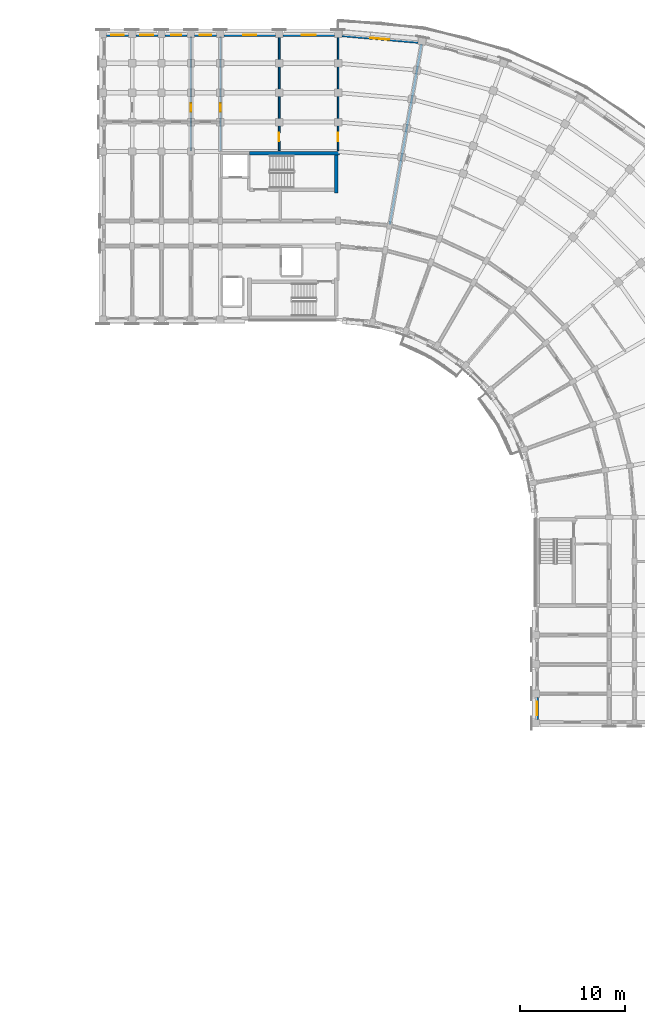
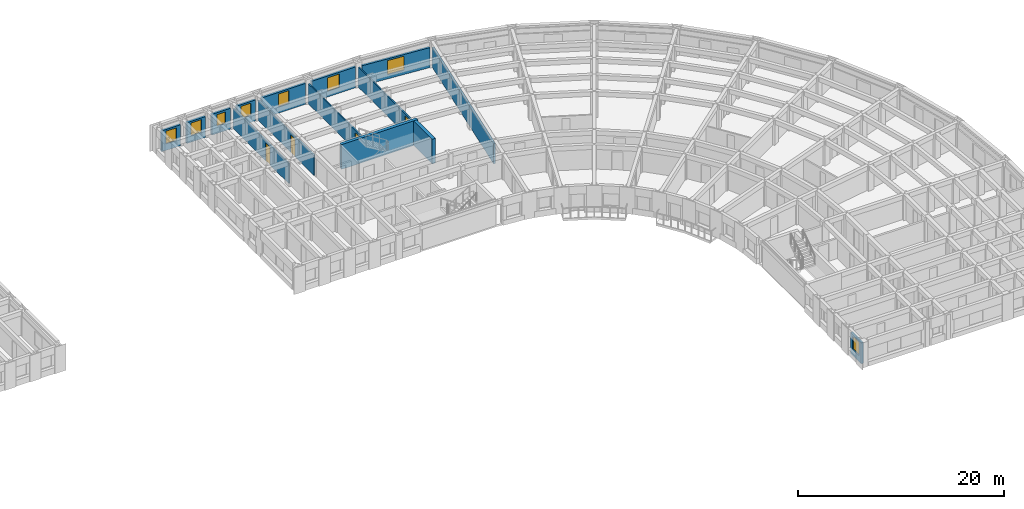
# One storey, part 33 of 57: 15 walls, 8 windows, 4 doors, 12 openings.
"""IFC4 building model written with IfcOpenShell, lengths in metres."""

import ifcopenshell
import ifcopenshell.guid

model = None  # the IFC model being written
_history = None  # IfcOwnerHistory: only IFC2X3 demands one
_inside = {}  # id of a spatial element -> (the spatial element, [elements in it])
_under = {}  # id of a project, library or spatial element -> (it, [spatial elements below it])
_declared = {}  # id of a project -> (the project, [libraries it declares])
_typed = {}  # id of a type object -> (the type object, [elements of that type])
_made_of = {}  # id of a material, layer set ... -> (it, [elements and type objects made of it])


def new_model(schema):
    """Start an empty IFC model of exactly this schema.

    Asked for "IFC4X3", IfcOpenShell would pick the latest addendum, in which some entities
    have other attributes; the version numbers below select the first issue.
    IFC2X3 requires an IfcOwnerHistory on every rooted entity: one is made here for all.
    """
    global model, _history
    if schema == "IFC4X3":
        model = ifcopenshell.file(schema_version=(4, 3, 0, 0))
    else:
        model = ifcopenshell.file(schema=schema)
    _inside.clear()
    _under.clear()
    _declared.clear()
    _typed.clear()
    _made_of.clear()
    _history = None
    if model.schema == "IFC2X3":
        org = make("IfcOrganization", Name="unknown")
        user = make(
            "IfcPersonAndOrganization",
            ThePerson=make("IfcPerson", FamilyName="unknown"),
            TheOrganization=org,
        )
        app = make(
            "IfcApplication",
            ApplicationDeveloper=org,
            Version="unknown",
            ApplicationFullName="unknown",
            ApplicationIdentifier="unknown",
        )
        _history = make(
            "IfcOwnerHistory",
            OwningUser=user,
            OwningApplication=app,
            ChangeAction="ADDED",
            CreationDate=0,
        )
    return model


def make(cls, **values):
    """One entity of the class cls with the attributes given. An attribute that is None is left unset."""
    return model.create_entity(
        cls, **{name: value for name, value in values.items() if value is not None}
    )


def rooted(cls, **values):
    """An entity with a GlobalId (a new one), such as an element, a storey or a relation."""
    return make(cls, GlobalId=ifcopenshell.guid.new(), OwnerHistory=_history, **values)


def si_unit(unit_type, name, prefix=None):
    """IfcSIUnit, for example si_unit("LENGTHUNIT", "METRE", prefix="MILLI")."""
    return make("IfcSIUnit", UnitType=unit_type, Prefix=prefix, Name=name)


def assignment(units):
    """IfcUnitAssignment: the units of a project."""
    return None if units is None else make("IfcUnitAssignment", Units=units)


def point(xyz):
    """IfcCartesianPoint."""
    return None if xyz is None else make("IfcCartesianPoint", Coordinates=xyz)


def direction(xyz):
    """IfcDirection."""
    return None if xyz is None else make("IfcDirection", DirectionRatios=xyz)


def frame(location, z_axis=None, x_axis=None):
    """IfcAxis2Placement3D, a coordinate frame: its origin and axes. An axis left out is left unset."""
    return make(
        "IfcAxis2Placement3D",
        Location=point(location),
        Axis=direction(z_axis),
        RefDirection=direction(x_axis),
    )


def frame_2d(location, x_axis=None):
    """IfcAxis2Placement2D, a coordinate frame in the plane: its origin and x axis."""
    return make(
        "IfcAxis2Placement2D", Location=point(location), RefDirection=direction(x_axis)
    )


def origin():
    """The frame at (0, 0, 0) with its axes left unset."""
    return frame((0.0, 0.0, 0.0))


def place(relative_to, where):
    """IfcLocalPlacement: puts the frame where relative to a parent placement (None: the world)."""
    return make(
        "IfcLocalPlacement", PlacementRelTo=relative_to, RelativePlacement=where
    )


def context(
    kind, dimensions, precision=None, world=None, true_north=None, identifier=None
):
    """IfcGeometricRepresentationContext, for example the 3D "Model" context."""
    return make(
        "IfcGeometricRepresentationContext",
        ContextIdentifier=identifier,
        ContextType=kind,
        CoordinateSpaceDimension=dimensions,
        Precision=precision,
        WorldCoordinateSystem=world,
        TrueNorth=true_north,
    )


def subcontext(parent, identifier, kind, view, scale=None):
    """IfcGeometricRepresentationSubContext, for example "Body" below "Model"."""
    return make(
        "IfcGeometricRepresentationSubContext",
        ContextIdentifier=identifier,
        ContextType=kind,
        ParentContext=parent,
        TargetScale=scale,
        TargetView=view,
    )


def project(units=None, contexts=None):
    """IfcProject with its units and contexts."""
    return rooted(
        "IfcProject",
        Name="project",
        RepresentationContexts=contexts,
        UnitsInContext=assignment(units),
    )


def spatial(cls, under=None, at=None, **own):
    """A site, building, storey or space (cls), placed at a placement, below another one or the project."""
    s = rooted(cls, ObjectPlacement=at, **own)
    if under is not None:
        _under.setdefault(under.id(), (under, []))[1].append(s)
    return s


def profile(cls, at=None, kind="AREA", **sizes):
    """A parametric profile (cls). Its sizes go by their IFC names, for example OverallWidth=200.0."""
    return make(cls, ProfileType=kind, Position=at, **sizes)


def rectangle(**sizes):
    """IfcRectangleProfileDef."""
    return profile("IfcRectangleProfileDef", **sizes)


def extrude(swept, where, along, depth):
    """IfcExtrudedAreaSolid: the profile swept, set in the frame where, extruded along a direction by depth."""
    return make(
        "IfcExtrudedAreaSolid",
        SweptArea=swept,
        Position=where,
        ExtrudedDirection=direction(along),
        Depth=depth,
    )


def shape(context_of_items, identifier, shape_type, items):
    """IfcShapeRepresentation: the items that make up one representation, for example the "Body"."""
    return make(
        "IfcShapeRepresentation",
        ContextOfItems=context_of_items,
        RepresentationIdentifier=identifier,
        RepresentationType=shape_type,
        Items=items,
    )


def material(Name=None, Category=None):
    """IfcMaterial."""
    return make("IfcMaterial", Name=Name, Category=Category)


def layer(
    of_material, thickness, ventilated=None, Name=None, Category=None, Priority=None
):
    """IfcMaterialLayer: one layer of a wall or slab, of a material (None: an air gap)."""
    return make(
        "IfcMaterialLayer",
        Material=of_material,
        LayerThickness=thickness,
        IsVentilated=ventilated,
        Name=Name,
        Category=Category,
        Priority=Priority,
    )


def layer_set(layers, Name=None):
    """IfcMaterialLayerSet."""
    return make("IfcMaterialLayerSet", MaterialLayers=layers, LayerSetName=Name)


def made_of(thing, what):
    """Note that an element or type object is made of a material, layer set ...; save() writes the relation."""
    if what is not None:
        _made_of.setdefault(what.id(), (what, []))[1].append(thing)
    return thing


def type_object(cls, material=None, **own):
    """A type object (cls), such as IfcWallType, which elements share."""
    return made_of(rooted(cls, **own), material)


def element(
    cls,
    number,
    at=None,
    inside=None,
    cuts=None,
    type_object=None,
    material=None,
    context=None,
    identifier="Body",
    shape_type=None,
    held_by="IfcProductDefinitionShape",
    body=None,
    shapes=None,
    **own,
):
    """One element of the class cls, such as IfcWall. Its Tag is "e" and its number.

    at: its placement. inside: the storey or other place that contains it. cuts: it is an
    opening in that element (IfcRelVoidsElement). A single representation is given by context,
    identifier, shape_type and body (its items); several are given by shapes. held_by: the class
    of the entity that holds the representations. save() writes the other relations.
    """
    e = rooted(cls, Tag="e%d" % number, ObjectPlacement=at, **own)
    if body is not None:
        shapes = [shape(context, identifier, shape_type, body)]
    if shapes is not None:
        e.Representation = make(held_by, Representations=shapes)
    if inside is not None:
        _inside.setdefault(inside.id(), (inside, []))[1].append(e)
    if cuts is not None:
        rooted(
            "IfcRelVoidsElement", RelatingBuildingElement=cuts, RelatedOpeningElement=e
        )
    if type_object is not None:
        _typed.setdefault(type_object.id(), (type_object, []))[1].append(e)
    return made_of(e, material)


def fill(opening, filler):
    """IfcRelFillsElement: the door or window that sits in an opening."""
    return rooted(
        "IfcRelFillsElement",
        RelatingOpeningElement=opening,
        RelatedBuildingElement=filler,
    )


def aggregate(whole, parts):
    """IfcRelAggregates: a whole, such as a stair, and the parts it consists of."""
    return rooted("IfcRelAggregates", RelatingObject=whole, RelatedObjects=parts)


def save(model, path):
    """Write the relations noted so far, then the file.

    IfcRelAggregates (storeys below a building ...), IfcRelContainedInSpatialStructure (elements
    in a storey), IfcRelDefinesByType, IfcRelAssociatesMaterial and IfcRelDeclares: one each for
    every whole, place, type object, material and project.
    """
    for whole, parts in _under.values():
        aggregate(whole, parts)
    for where, things in _inside.values():
        rooted(
            "IfcRelContainedInSpatialStructure",
            RelatedElements=things,
            RelatingStructure=where,
        )
    for kind, things in _typed.values():
        rooted("IfcRelDefinesByType", RelatedObjects=things, RelatingType=kind)
    for what, things in _made_of.values():
        rooted("IfcRelAssociatesMaterial", RelatedObjects=things, RelatingMaterial=what)
    for by, libraries in _declared.values():
        rooted("IfcRelDeclares", RelatingContext=by, RelatedDefinitions=libraries)
    model.write(path)


model = new_model("IFC4")

# Units and contexts
model_context = context("Model", 3, precision=1e-05, world=origin(), true_north=direction((0.0, 1.0)))
body_context = subcontext(model_context, "Body", "Model", "MODEL_VIEW")
ifc_project = project(units=[si_unit("LENGTHUNIT", "METRE"), si_unit("AREAUNIT", "SQUARE_METRE"), si_unit("VOLUMEUNIT", "CUBIC_METRE"), si_unit("PLANEANGLEUNIT", "RADIAN"), si_unit("MASSUNIT", "GRAM", prefix="KILO")], contexts=[model_context])

# Site, building, storey
site_placement = place(None, origin())
site = spatial("IfcSite", under=ifc_project, at=site_placement, CompositionType="ELEMENT")
building_placement = place(site_placement, origin())
building = spatial("IfcBuilding", under=site, at=building_placement, Name="Kiranvali Square Residences", CompositionType="ELEMENT")
storey_placement = place(building_placement, frame((0.0, 0.0, 24.449951171875)))
storey = spatial("IfcBuildingStorey", under=building, at=storey_placement, Name="L07", CompositionType="ELEMENT", Elevation=24.449951171875)

# Wall
ifc_material_1 = material(Name="Autoclaved aerated concrete blockwork masonry", Category="masonry")
ifc_layer_1 = layer(ifc_material_1, 0.219970703125)
ifc_layer_set_1 = layer_set([ifc_layer_1], Name="Autoclaved aerated concrete blockwork masonry")
wall_type_1 = type_object("IfcWallType", Name="WL-DEM-220", PredefinedType="STANDARD", material=ifc_layer_set_1)
wall_1_placement = place(storey_placement, frame((124.71435546875, 115.670166015625, 0.0), z_axis=(0.0, 0.0, 1.0), x_axis=(0.173646216546, 0.984808098809, 0.0)))
element("IfcWall", 1, at=wall_1_placement, inside=storey, type_object=wall_type_1, Name="L07 architectural wall WL-L07-B-RADO-1", PredefinedType="STANDARD", context=body_context, shape_type="SweptSolid", body=[
    extrude(rectangle(XDim=17.419921875, YDim=0.219970703125, at=frame_2d((8.7099609375, 0.0))), origin(), (0.0, 0.0, 1.0), 2.3720703125),
])

# Wall, opening, window
ifc_material_2 = material(Name="Breathable lime-rendered clay brick masonry", Category="masonry")
ifc_layer_2 = layer(ifc_material_2, 0.25)
ifc_layer_set_2 = layer_set([ifc_layer_2], Name="Breathable lime-rendered clay brick masonry")
wall_type_2 = type_object("IfcWallType", Name="WL-EXT-250", PredefinedType="STANDARD", material=ifc_layer_set_2)
wall_2_placement = place(storey_placement, frame((120.16357421875, 133.642822265625, 0.0), z_axis=(0.0, 0.0, 1.0), x_axis=(0.99619214922, -0.08718487158, 0.0)))
wall_2 = element("IfcWall", 2, at=wall_2_placement, inside=storey, type_object=wall_type_2, Name="L07 exterior wall B-L07-CRV-00", PredefinedType="STANDARD", context=body_context, shape_type="SweptSolid", body=[
    extrude(rectangle(XDim=7.2666015625, YDim=0.25, at=frame_2d((3.63330078125, 0.0))), origin(), (0.0, 0.0, 1.0), 2.3720703125),
])
opening_1_placement = place(wall_2_placement, frame((2.7333984375, 0.0, 0.52197265625)))
opening_1 = element("IfcOpeningElement", 3, at=opening_1_placement, cuts=wall_2, Name="Opening W-04", PredefinedType="OPENING", context=body_context, shape_type="SweptSolid", body=[
    extrude(rectangle(XDim=1.800048828125, YDim=1.64990234375, at=frame_2d((0.89990234375, 0.824951171875))), frame((0.0, 0.135009765625, 0.0), z_axis=(0.0, -1.0, 0.0), x_axis=(1.0, 0.0, 0.0)), (0.0, 0.0, 1.0), 0.27001953125),
])
ifc_material_3 = material(Name="Solar-control low-e double glazing", Category="glass")
window_type_1 = type_object("IfcWindowType", Name="WIN-RES-1800x1650", PartitioningType="DOUBLE_PANEL_VERTICAL", PredefinedType="WINDOW", material=ifc_material_3)
window_1_placement = place(opening_1_placement, origin())
window_1 = element("IfcWindow", 4, at=window_1_placement, inside=storey, type_object=window_type_1, Name="L07 recessed window B-L07-CRV-00", OverallHeight=1.64990234375, OverallWidth=1.800048828125, PartitioningType="DOUBLE_PANEL_VERTICAL", PredefinedType="WINDOW", context=body_context, shape_type="SweptSolid", body=[
    extrude(rectangle(XDim=1.800048828125, YDim=1.64990234375, at=frame_2d((0.89990234375, 0.824951171875))), frame((0.0, 0.030029296875, 0.0), z_axis=(0.0, -1.0, 0.0), x_axis=(1.0, 0.0, 0.0)), (0.0, 0.0, 1.0), 0.06005859375),
])
fill(opening_1, window_1)

wall_3_placement = place(storey_placement, frame((119.446533203125, 133.675048828125, 0.0), z_axis=(0.0, 0.0, 1.0), x_axis=(-1.0, 0.0, 0.0)))
wall_3 = element("IfcWall", 5, at=wall_3_placement, inside=storey, type_object=wall_type_2, Name="L07 exterior wall B-L07-A1O-0", PredefinedType="STANDARD", context=body_context, shape_type="SweptSolid", body=[
    extrude(rectangle(XDim=4.89306640625, YDim=0.25, at=frame_2d((2.446533203125, 0.0))), origin(), (0.0, 0.0, 1.0), 2.47216796875),
])
opening_2_placement = place(wall_3_placement, frame((1.771484375, 0.0, 0.672119140625)))
opening_2 = element("IfcOpeningElement", 6, at=opening_2_placement, cuts=wall_3, Name="Opening W-14", PredefinedType="OPENING", context=body_context, shape_type="SweptSolid", body=[
    extrude(rectangle(XDim=1.35009765625, YDim=1.60009765625, at=frame_2d((0.675048828125, 0.800048828125))), frame((0.0, 0.135009765625, 0.0), z_axis=(0.0, -1.0, 0.0), x_axis=(1.0, 0.0, 0.0)), (0.0, 0.0, 1.0), 0.27001953125),
])
window_type_2 = type_object("IfcWindowType", Name="WIN-RES-1350x1600", PartitioningType="DOUBLE_PANEL_VERTICAL", PredefinedType="WINDOW", material=ifc_material_3)
window_2_placement = place(opening_2_placement, origin())
window_2 = element("IfcWindow", 7, at=window_2_placement, inside=storey, type_object=window_type_2, Name="L07 recessed window B-L07-A1O-0", OverallHeight=1.60009765625, OverallWidth=1.35009765625, PartitioningType="DOUBLE_PANEL_VERTICAL", PredefinedType="WINDOW", context=body_context, shape_type="SweptSolid", body=[
    extrude(rectangle(XDim=1.35009765625, YDim=1.60009765625, at=frame_2d((0.675048828125, 0.800048828125))), frame((0.0, 0.030029296875, 0.0), z_axis=(0.0, -1.0, 0.0), x_axis=(1.0, 0.0, 0.0)), (0.0, 0.0, 1.0), 0.06005859375),
])
fill(opening_2, window_2)

wall_4_placement = place(storey_placement, frame((113.846435546875, 133.675048828125, 0.0), z_axis=(0.0, 0.0, 1.0), x_axis=(-1.0, 0.0, 0.0)))
wall_4 = element("IfcWall", 8, at=wall_4_placement, inside=storey, type_object=wall_type_2, Name="L07 exterior wall B-L07-A1O-1", PredefinedType="STANDARD", context=body_context, shape_type="SweptSolid", body=[
    extrude(rectangle(XDim=4.892822265625, YDim=0.25, at=frame_2d((2.4462890625, 0.0))), origin(), (0.0, 0.0, 1.0), 2.47216796875),
])
opening_3_placement = place(wall_4_placement, frame((1.846435546875, 0.0, 0.77197265625)))
opening_3 = element("IfcOpeningElement", 9, at=opening_3_placement, cuts=wall_4, Name="Opening W-06", PredefinedType="OPENING", context=body_context, shape_type="SweptSolid", body=[
    extrude(rectangle(XDim=1.199951171875, YDim=1.5, at=frame_2d((0.60009765625, 0.75))), frame((0.0, 0.135009765625, 0.0), z_axis=(0.0, -1.0, 0.0), x_axis=(1.0, 0.0, 0.0)), (0.0, 0.0, 1.0), 0.27001953125),
])
window_type_3 = type_object("IfcWindowType", Name="WIN-RES-1200x1500", PartitioningType="SINGLE_PANEL", PredefinedType="WINDOW", material=ifc_material_3)
window_3_placement = place(opening_3_placement, origin())
window_3 = element("IfcWindow", 10, at=window_3_placement, inside=storey, type_object=window_type_3, Name="L07 recessed window B-L07-A1O-1", OverallHeight=1.5, OverallWidth=1.199951171875, PartitioningType="SINGLE_PANEL", PredefinedType="WINDOW", context=body_context, shape_type="SweptSolid", body=[
    extrude(rectangle(XDim=1.199951171875, YDim=1.5, at=frame_2d((0.60009765625, 0.75))), frame((0.0, 0.030029296875, 0.0), z_axis=(0.0, -1.0, 0.0), x_axis=(1.0, 0.0, 0.0)), (0.0, 0.0, 1.0), 0.06005859375),
])
fill(opening_3, window_3)

wall_5_placement = place(storey_placement, frame((108.24658203125, 133.675048828125, 0.0), z_axis=(0.0, 0.0, 1.0), x_axis=(-1.0, 0.0, 0.0)))
wall_5 = element("IfcWall", 11, at=wall_5_placement, inside=storey, type_object=wall_type_2, Name="L07 exterior wall B-L07-A1O-2", PredefinedType="STANDARD", context=body_context, shape_type="SweptSolid", body=[
    extrude(rectangle(XDim=2.093017578125, YDim=0.25, at=frame_2d((1.04638671875, 0.0))), origin(), (0.0, 0.0, 1.0), 2.47216796875),
])
opening_4_placement = place(wall_5_placement, frame((0.49658203125, 0.0, 0.822021484375)))
opening_4 = element("IfcOpeningElement", 12, at=opening_4_placement, cuts=wall_5, Name="Opening W-15", PredefinedType="OPENING", context=body_context, shape_type="SweptSolid", body=[
    extrude(rectangle(XDim=1.10009765625, YDim=1.449951171875, at=frame_2d((0.550048828125, 0.72509765625))), frame((0.0, 0.135009765625, 0.0), z_axis=(0.0, -1.0, 0.0), x_axis=(1.0, 0.0, 0.0)), (0.0, 0.0, 1.0), 0.27001953125),
])
window_type_4 = type_object("IfcWindowType", Name="WIN-RES-1100x1450", PartitioningType="SINGLE_PANEL", PredefinedType="WINDOW", material=ifc_material_3)
window_4_placement = place(opening_4_placement, origin())
window_4 = element("IfcWindow", 13, at=window_4_placement, inside=storey, type_object=window_type_4, Name="L07 recessed window B-L07-A1O-2", OverallHeight=1.449951171875, OverallWidth=1.10009765625, PartitioningType="SINGLE_PANEL", PredefinedType="WINDOW", context=body_context, shape_type="SweptSolid", body=[
    extrude(rectangle(XDim=1.10009765625, YDim=1.449951171875, at=frame_2d((0.550048828125, 0.72509765625))), frame((0.0, 0.030029296875, 0.0), z_axis=(0.0, -1.0, 0.0), x_axis=(1.0, 0.0, 0.0)), (0.0, 0.0, 1.0), 0.06005859375),
])
fill(opening_4, window_4)

wall_6_placement = place(storey_placement, frame((105.446533203125, 133.675048828125, 0.0), z_axis=(0.0, 0.0, 1.0), x_axis=(-1.0, 0.0, 0.0)))
wall_6 = element("IfcWall", 14, at=wall_6_placement, inside=storey, type_object=wall_type_2, Name="L07 exterior wall B-L07-A1O-3", PredefinedType="STANDARD", context=body_context, shape_type="SweptSolid", body=[
    extrude(rectangle(XDim=2.093017578125, YDim=0.25, at=frame_2d((1.04638671875, 0.0))), origin(), (0.0, 0.0, 1.0), 2.47216796875),
])
opening_5_placement = place(wall_6_placement, frame((0.571533203125, 0.0, 0.8798828125)))
opening_5 = element("IfcOpeningElement", 15, at=opening_5_placement, cuts=wall_6, Name="Opening W-16", PredefinedType="OPENING", context=body_context, shape_type="SweptSolid", body=[
    extrude(rectangle(XDim=0.949951171875, YDim=1.35009765625, at=frame_2d((0.47509765625, 0.675048828125))), frame((0.0, 0.135009765625, 0.0), z_axis=(0.0, -1.0, 0.0), x_axis=(1.0, 0.0, 0.0)), (0.0, 0.0, 1.0), 0.27001953125),
])
window_type_5 = type_object("IfcWindowType", Name="WIN-RES-950x1350", PartitioningType="SINGLE_PANEL", PredefinedType="WINDOW", material=ifc_material_3)
window_5_placement = place(opening_5_placement, origin())
window_5 = element("IfcWindow", 16, at=window_5_placement, inside=storey, type_object=window_type_5, Name="L07 recessed window B-L07-A1O-3", OverallHeight=1.35009765625, OverallWidth=0.949951171875, PartitioningType="SINGLE_PANEL", PredefinedType="WINDOW", context=body_context, shape_type="SweptSolid", body=[
    extrude(rectangle(XDim=0.949951171875, YDim=1.35009765625, at=frame_2d((0.47509765625, 0.675048828125))), frame((0.0, 0.030029296875, 0.0), z_axis=(0.0, -1.0, 0.0), x_axis=(1.0, 0.0, 0.0)), (0.0, 0.0, 1.0), 0.06005859375),
])
fill(opening_5, window_5)

wall_7_placement = place(storey_placement, frame((102.646484375, 133.675048828125, 0.0), z_axis=(0.0, 0.0, 1.0), x_axis=(-1.0, 0.0, 0.0)))
wall_7 = element("IfcWall", 17, at=wall_7_placement, inside=storey, type_object=wall_type_2, Name="L07 exterior wall B-L07-A1O-4", PredefinedType="STANDARD", context=body_context, shape_type="SweptSolid", body=[
    extrude(rectangle(XDim=2.093017578125, YDim=0.25, at=frame_2d((1.04638671875, 0.0))), origin(), (0.0, 0.0, 1.0), 2.47216796875),
])
opening_6_placement = place(wall_7_placement, frame((0.446533203125, 0.0, 0.77197265625)))
opening_6 = element("IfcOpeningElement", 18, at=opening_6_placement, cuts=wall_7, Name="Opening W-06", PredefinedType="OPENING", context=body_context, shape_type="SweptSolid", body=[
    extrude(rectangle(XDim=1.199951171875, YDim=1.5, at=frame_2d((0.60009765625, 0.75))), frame((0.0, 0.135009765625, 0.0), z_axis=(0.0, -1.0, 0.0), x_axis=(1.0, 0.0, 0.0)), (0.0, 0.0, 1.0), 0.27001953125),
])
window_6_placement = place(opening_6_placement, origin())
window_6 = element("IfcWindow", 19, at=window_6_placement, inside=storey, type_object=window_type_3, Name="L07 recessed window B-L07-A1O-4", OverallHeight=1.5, OverallWidth=1.199951171875, PartitioningType="SINGLE_PANEL", PredefinedType="WINDOW", context=body_context, shape_type="SweptSolid", body=[
    extrude(rectangle(XDim=1.199951171875, YDim=1.5, at=frame_2d((0.60009765625, 0.75))), frame((0.0, 0.030029296875, 0.0), z_axis=(0.0, -1.0, 0.0), x_axis=(1.0, 0.0, 0.0)), (0.0, 0.0, 1.0), 0.06005859375),
])
fill(opening_6, window_6)

wall_8_placement = place(storey_placement, frame((99.846435546875, 133.675048828125, 0.0), z_axis=(0.0, 0.0, 1.0), x_axis=(-1.0, 0.0, 0.0)))
wall_8 = element("IfcWall", 20, at=wall_8_placement, inside=storey, type_object=wall_type_2, Name="L07 exterior wall B-L07-A1O-5", PredefinedType="STANDARD", context=body_context, shape_type="SweptSolid", body=[
    extrude(rectangle(XDim=2.093017578125, YDim=0.25, at=frame_2d((1.04638671875, 0.0))), origin(), (0.0, 0.0, 1.0), 2.47216796875),
])
opening_7_placement = place(wall_8_placement, frame((0.446533203125, 0.0, 0.77197265625)))
opening_7 = element("IfcOpeningElement", 21, at=opening_7_placement, cuts=wall_8, Name="Opening W-06", PredefinedType="OPENING", context=body_context, shape_type="SweptSolid", body=[
    extrude(rectangle(XDim=1.199951171875, YDim=1.5, at=frame_2d((0.60009765625, 0.75))), frame((0.0, 0.135009765625, 0.0), z_axis=(0.0, -1.0, 0.0), x_axis=(1.0, 0.0, 0.0)), (0.0, 0.0, 1.0), 0.27001953125),
])
window_7_placement = place(opening_7_placement, origin())
window_7 = element("IfcWindow", 22, at=window_7_placement, inside=storey, type_object=window_type_3, Name="L07 recessed window B-L07-A1O-5", OverallHeight=1.5, OverallWidth=1.199951171875, PartitioningType="SINGLE_PANEL", PredefinedType="WINDOW", context=body_context, shape_type="SweptSolid", body=[
    extrude(rectangle(XDim=1.199951171875, YDim=1.5, at=frame_2d((0.60009765625, 0.75))), frame((0.0, 0.030029296875, 0.0), z_axis=(0.0, -1.0, 0.0), x_axis=(1.0, 0.0, 0.0)), (0.0, 0.0, 1.0), 0.06005859375),
])
fill(opening_7, window_7)

wall_9_placement = place(storey_placement, frame((138.72509765625, 70.646484375, 0.0), z_axis=(0.0, 0.0, 1.0), x_axis=(0.0, -1.0, 0.0)))
wall_9 = element("IfcWall", 23, at=wall_9_placement, inside=storey, type_object=wall_type_2, Name="L07 exterior wall B-L07-A2I-3", PredefinedType="STANDARD", context=body_context, shape_type="SweptSolid", body=[
    extrude(rectangle(XDim=2.093017578125, YDim=0.25, at=frame_2d((1.04638671875, 0.0))), origin(), (0.0, 0.0, 1.0), 2.47216796875),
])
opening_8_placement = place(wall_9_placement, frame((0.42138671875, 0.0, 0.721923828125)))
opening_8 = element("IfcOpeningElement", 24, at=opening_8_placement, cuts=wall_9, Name="Opening W-19", PredefinedType="OPENING", context=body_context, shape_type="SweptSolid", body=[
    extrude(rectangle(XDim=1.25, YDim=1.550048828125, at=frame_2d((0.625, 0.77490234375))), frame((0.0, 0.135009765625, 0.0), z_axis=(0.0, -1.0, 0.0), x_axis=(1.0, 0.0, 0.0)), (0.0, 0.0, 1.0), 0.27001953125),
])
window_type_6 = type_object("IfcWindowType", Name="WIN-GDN-1250x1550", PartitioningType="SINGLE_PANEL", PredefinedType="WINDOW", material=ifc_material_3)
window_8_placement = place(opening_8_placement, origin())
window_8 = element("IfcWindow", 25, at=window_8_placement, inside=storey, type_object=window_type_6, Name="L07 recessed window B-L07-A2I-3", OverallHeight=1.550048828125, OverallWidth=1.25, PartitioningType="SINGLE_PANEL", PredefinedType="WINDOW", context=body_context, shape_type="SweptSolid", body=[
    extrude(rectangle(XDim=1.25, YDim=1.550048828125, at=frame_2d((0.625, 0.77490234375))), frame((0.0, 0.030029296875, 0.0), z_axis=(0.0, -1.0, 0.0), x_axis=(1.0, 0.0, 0.0)), (0.0, 0.0, 1.0), 0.06005859375),
])
fill(opening_8, window_8)

# Wall, opening, door
ifc_material_4 = material(Name="Acoustic gypsum board drylined partition", Category="gypsum")
ifc_layer_3 = layer(ifc_material_4, 0.14990234375)
ifc_layer_set_3 = layer_set([ifc_layer_3], Name="Acoustic gypsum board drylined partition")
wall_type_3 = type_object("IfcWallType", Name="WL-PRT-150", PredefinedType="PARTITIONING", material=ifc_layer_set_3)
wall_10_placement = place(storey_placement, frame((114.199951171875, 122.699951171875, 0.0), z_axis=(0.0, 0.0, 1.0), x_axis=(0.0, 1.0, 0.0)))
wall_10 = element("IfcWall", 26, at=wall_10_placement, inside=storey, type_object=wall_type_3, Name="L07 architectural wall WL-L07-B-CF-MID", PredefinedType="PARTITIONING", context=body_context, shape_type="SweptSolid", body=[
    extrude(rectangle(XDim=10.820068359375, YDim=0.14990234375, at=frame_2d((5.41015625, 0.0))), origin(), (0.0, 0.0, 1.0), 2.3720703125),
])
opening_9_placement = place(wall_10_placement, frame((0.8994140625, 0.0, 0.0)))
opening_9 = element("IfcOpeningElement", 27, at=opening_9_placement, cuts=wall_10, Name="Opening ID-WET", PredefinedType="OPENING", context=body_context, shape_type="SweptSolid", body=[
    extrude(rectangle(XDim=0.800048828125, YDim=2.10009765625, at=frame_2d((0.39990234375, 1.050048828125))), frame((0.0, 0.0849609375, 0.0), z_axis=(0.0, -1.0, 0.0), x_axis=(1.0, 0.0, 0.0)), (0.0, 0.0, 1.0), 0.169921875),
])
ifc_material_5 = material(Name="Solid seasoned teak hardwood joinery", Category="wood")
door_type = type_object("IfcDoorType", Name="DR-WET-800", OperationType="NOTDEFINED", PredefinedType="DOOR", material=ifc_material_5)
door_1_placement = place(opening_9_placement, origin())
door_1 = element("IfcDoor", 28, at=door_1_placement, inside=storey, type_object=door_type, Name="L07 door DR-L07-1397 (DR-WET-800)", OperationType="SINGLE_SWING_LEFT", OverallHeight=2.10009765625, OverallWidth=0.800048828125, PredefinedType="DOOR", context=body_context, shape_type="SweptSolid", body=[
    extrude(rectangle(XDim=0.800048828125, YDim=2.10009765625, at=frame_2d((0.39990234375, 1.050048828125))), frame((0.0, 0.02490234375, 0.0), z_axis=(0.0, -1.0, 0.0), x_axis=(1.0, 0.0, 0.0)), (0.0, 0.0, 1.0), 0.050048828125),
])
fill(opening_9, door_1)

wall_11_placement = place(storey_placement, frame((108.60009765625, 122.699951171875, 0.0), z_axis=(0.0, 0.0, 1.0), x_axis=(0.0, 1.0, 0.0)))
wall_11 = element("IfcWall", 29, at=wall_11_placement, inside=storey, type_object=wall_type_3, Name="L07 architectural wall WL-L07-B-A1TO2-0", PredefinedType="PARTITIONING", context=body_context, shape_type="SweptSolid", body=[
    extrude(rectangle(XDim=10.820068359375, YDim=0.14990234375, at=frame_2d((5.41015625, 0.0))), origin(), (0.0, 0.0, 1.0), 2.3720703125),
])
opening_10_placement = place(wall_11_placement, frame((3.69970703125, 0.0, 0.0)))
opening_10 = element("IfcOpeningElement", 30, at=opening_10_placement, cuts=wall_11, Name="Opening ID-WET", PredefinedType="OPENING", context=body_context, shape_type="SweptSolid", body=[
    extrude(rectangle(XDim=0.800048828125, YDim=2.10009765625, at=frame_2d((0.39990234375, 1.050048828125))), frame((0.0, 0.0849609375, 0.0), z_axis=(0.0, -1.0, 0.0), x_axis=(1.0, 0.0, 0.0)), (0.0, 0.0, 1.0), 0.169921875),
])
door_2_placement = place(opening_10_placement, frame((0.800048828125, 0.0, 0.0), z_axis=(0.0, 0.0, 1.0), x_axis=(-1.0, 0.0, 0.0)))
door_2 = element("IfcDoor", 31, at=door_2_placement, inside=storey, type_object=door_type, Name="L07 door DR-L07-1406 (DR-WET-800)", OperationType="SINGLE_SWING_RIGHT", OverallHeight=2.10009765625, OverallWidth=0.800048828125, PredefinedType="DOOR", context=body_context, shape_type="SweptSolid", body=[
    extrude(rectangle(XDim=0.800048828125, YDim=2.10009765625, at=frame_2d((0.39990234375, 1.050048828125))), frame((0.0, 0.02490234375, 0.0), z_axis=(0.0, -1.0, 0.0), x_axis=(1.0, 0.0, 0.0)), (0.0, 0.0, 1.0), 0.050048828125),
])
fill(opening_10, door_2)

wall_12_placement = place(storey_placement, frame((105.800048828125, 122.699951171875, 0.0), z_axis=(0.0, 0.0, 1.0), x_axis=(0.0, 1.0, 0.0)))
wall_12 = element("IfcWall", 32, at=wall_12_placement, inside=storey, type_object=wall_type_3, Name="L07 architectural wall WL-L07-B-A1TO2-1", PredefinedType="PARTITIONING", context=body_context, shape_type="SweptSolid", body=[
    extrude(rectangle(XDim=10.820068359375, YDim=0.14990234375, at=frame_2d((5.41015625, 0.0))), origin(), (0.0, 0.0, 1.0), 2.3720703125),
])
opening_11_placement = place(wall_12_placement, frame((3.69970703125, 0.0, 0.0)))
opening_11 = element("IfcOpeningElement", 33, at=opening_11_placement, cuts=wall_12, Name="Opening ID-WET", PredefinedType="OPENING", context=body_context, shape_type="SweptSolid", body=[
    extrude(rectangle(XDim=0.800048828125, YDim=2.10009765625, at=frame_2d((0.39990234375, 1.050048828125))), frame((0.0, 0.0849609375, 0.0), z_axis=(0.0, -1.0, 0.0), x_axis=(1.0, 0.0, 0.0)), (0.0, 0.0, 1.0), 0.169921875),
])
door_3_placement = place(opening_11_placement, origin())
door_3 = element("IfcDoor", 34, at=door_3_placement, inside=storey, type_object=door_type, Name="L07 door DR-L07-1409 (DR-WET-800)", OperationType="SINGLE_SWING_LEFT", OverallHeight=2.10009765625, OverallWidth=0.800048828125, PredefinedType="DOOR", context=body_context, shape_type="SweptSolid", body=[
    extrude(rectangle(XDim=0.800048828125, YDim=2.10009765625, at=frame_2d((0.39990234375, 1.050048828125))), frame((0.0, 0.02490234375, 0.0), z_axis=(0.0, -1.0, 0.0), x_axis=(1.0, 0.0, 0.0)), (0.0, 0.0, 1.0), 0.050048828125),
])
fill(opening_11, door_3)

wall_13_placement = place(storey_placement, frame((119.800048828125, 122.699951171875, 0.0), z_axis=(0.0, 0.0, 1.0), x_axis=(0.0, 1.0, 0.0)))
wall_13 = element("IfcWall", 35, at=wall_13_placement, inside=storey, type_object=wall_type_3, Name="L07 architectural wall WL-L07-B-RADO-0", PredefinedType="PARTITIONING", context=body_context, shape_type="SweptSolid", body=[
    extrude(rectangle(XDim=10.820068359375, YDim=0.14990234375, at=frame_2d((5.41015625, 0.0))), origin(), (0.0, 0.0, 1.0), 2.3720703125),
])
opening_12_placement = place(wall_13_placement, frame((0.8994140625, 0.0, 0.0)))
opening_12 = element("IfcOpeningElement", 36, at=opening_12_placement, cuts=wall_13, Name="Opening ID-WET", PredefinedType="OPENING", context=body_context, shape_type="SweptSolid", body=[
    extrude(rectangle(XDim=0.800048828125, YDim=2.10009765625, at=frame_2d((0.39990234375, 1.050048828125))), frame((0.0, 0.0849609375, 0.0), z_axis=(0.0, -1.0, 0.0), x_axis=(1.0, 0.0, 0.0)), (0.0, 0.0, 1.0), 0.169921875),
])
door_4_placement = place(opening_12_placement, origin())
door_4 = element("IfcDoor", 37, at=door_4_placement, inside=storey, type_object=door_type, Name="L07 door DR-L07-1413 (DR-WET-800)", OperationType="SINGLE_SWING_LEFT", OverallHeight=2.10009765625, OverallWidth=0.800048828125, PredefinedType="DOOR", context=body_context, shape_type="SweptSolid", body=[
    extrude(rectangle(XDim=0.800048828125, YDim=2.10009765625, at=frame_2d((0.39990234375, 1.050048828125))), frame((0.0, 0.02490234375, 0.0), z_axis=(0.0, -1.0, 0.0), x_axis=(1.0, 0.0, 0.0)), (0.0, 0.0, 1.0), 0.050048828125),
])
fill(opening_12, door_4)

# Walls
ifc_material_6 = material(Name="Concrete M45 (45 MPa)", Category="concrete")
ifc_layer_4 = layer(ifc_material_6, 0.320068359375)
ifc_layer_set_4 = layer_set([ifc_layer_4], Name="Concrete M45 (45 MPa)")
wall_type_4 = type_object("IfcWallType", Name="WL-SHR-320", PredefinedType="SHEAR", material=ifc_layer_set_4)
wall_14_placement = place(storey_placement, frame((119.919921875, 122.425048828125, 0.0), z_axis=(0.0, 0.0, 1.0), x_axis=(-1.0, 0.0, 0.0)))
element("IfcWall", 38, at=wall_14_placement, inside=storey, type_object=wall_type_4, Name="Block B core shear wall SW-B1-OUT-L07", PredefinedType="SHEAR", context=body_context, shape_type="SweptSolid", body=[
    extrude(rectangle(XDim=8.544921875, YDim=0.35009765625, at=frame_2d((4.2724609375, 0.0))), origin(), (0.0, 0.0, 1.0), 2.929931640625),
])
wall_15_placement = place(storey_placement, frame((119.625, 118.64990234375, 0.0), z_axis=(0.0, 0.0, 1.0), x_axis=(0.0, 1.0, 0.0)))
element("IfcWall", 39, at=wall_15_placement, inside=storey, type_object=wall_type_4, Name="Block B core shear wall SW-B1-FAR-L07", PredefinedType="SHEAR", context=body_context, shape_type="SweptSolid", body=[
    extrude(rectangle(XDim=3.60009765625, YDim=0.35009765625, at=frame_2d((1.800048828125, 0.0))), origin(), (0.0, 0.0, 1.0), 2.929931640625),
])

save(model, "model.ifc")
